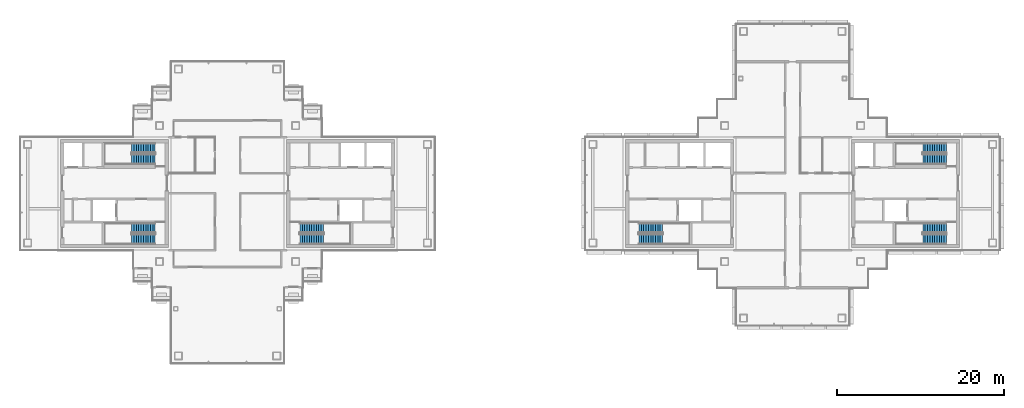
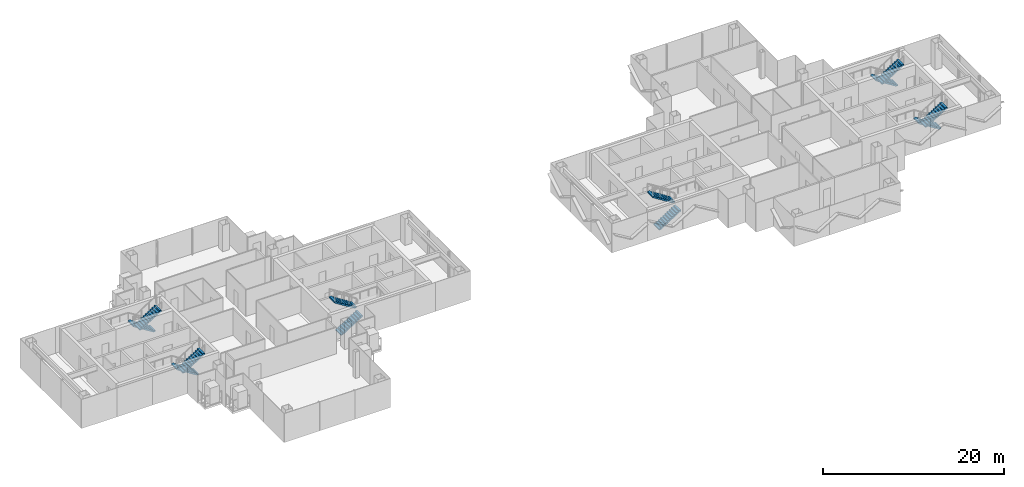
# One storey, part 13 of 17: 12 stair flights, 6 elements without a shape of their own.
"""IFC4 building model written with IfcOpenShell, lengths in metres."""

import ifcopenshell
import ifcopenshell.guid

model = None  # the IFC model being written
_history = None  # IfcOwnerHistory: only IFC2X3 demands one
_inside = {}  # id of a spatial element -> (the spatial element, [elements in it])
_under = {}  # id of a project, library or spatial element -> (it, [spatial elements below it])
_declared = {}  # id of a project -> (the project, [libraries it declares])
_typed = {}  # id of a type object -> (the type object, [elements of that type])
_made_of = {}  # id of a material, layer set ... -> (it, [elements and type objects made of it])


def new_model(schema):
    """Start an empty IFC model of exactly this schema.

    Asked for "IFC4X3", IfcOpenShell would pick the latest addendum, in which some entities
    have other attributes; the version numbers below select the first issue.
    IFC2X3 requires an IfcOwnerHistory on every rooted entity: one is made here for all.
    """
    global model, _history
    if schema == "IFC4X3":
        model = ifcopenshell.file(schema_version=(4, 3, 0, 0))
    else:
        model = ifcopenshell.file(schema=schema)
    _inside.clear()
    _under.clear()
    _declared.clear()
    _typed.clear()
    _made_of.clear()
    _history = None
    if model.schema == "IFC2X3":
        org = make("IfcOrganization", Name="unknown")
        user = make(
            "IfcPersonAndOrganization",
            ThePerson=make("IfcPerson", FamilyName="unknown"),
            TheOrganization=org,
        )
        app = make(
            "IfcApplication",
            ApplicationDeveloper=org,
            Version="unknown",
            ApplicationFullName="unknown",
            ApplicationIdentifier="unknown",
        )
        _history = make(
            "IfcOwnerHistory",
            OwningUser=user,
            OwningApplication=app,
            ChangeAction="ADDED",
            CreationDate=0,
        )
    return model


def make(cls, **values):
    """One entity of the class cls with the attributes given. An attribute that is None is left unset."""
    return model.create_entity(
        cls, **{name: value for name, value in values.items() if value is not None}
    )


def rooted(cls, **values):
    """An entity with a GlobalId (a new one), such as an element, a storey or a relation."""
    return make(cls, GlobalId=ifcopenshell.guid.new(), OwnerHistory=_history, **values)


def si_unit(unit_type, name, prefix=None):
    """IfcSIUnit, for example si_unit("LENGTHUNIT", "METRE", prefix="MILLI")."""
    return make("IfcSIUnit", UnitType=unit_type, Prefix=prefix, Name=name)


def assignment(units):
    """IfcUnitAssignment: the units of a project."""
    return None if units is None else make("IfcUnitAssignment", Units=units)


def point(xyz):
    """IfcCartesianPoint."""
    return None if xyz is None else make("IfcCartesianPoint", Coordinates=xyz)


def direction(xyz):
    """IfcDirection."""
    return None if xyz is None else make("IfcDirection", DirectionRatios=xyz)


def frame(location, z_axis=None, x_axis=None):
    """IfcAxis2Placement3D, a coordinate frame: its origin and axes. An axis left out is left unset."""
    return make(
        "IfcAxis2Placement3D",
        Location=point(location),
        Axis=direction(z_axis),
        RefDirection=direction(x_axis),
    )


def origin():
    """The frame at (0, 0, 0) with its axes left unset."""
    return frame((0.0, 0.0, 0.0))


def place(relative_to, where):
    """IfcLocalPlacement: puts the frame where relative to a parent placement (None: the world)."""
    return make(
        "IfcLocalPlacement", PlacementRelTo=relative_to, RelativePlacement=where
    )


def context(
    kind, dimensions, precision=None, world=None, true_north=None, identifier=None
):
    """IfcGeometricRepresentationContext, for example the 3D "Model" context."""
    return make(
        "IfcGeometricRepresentationContext",
        ContextIdentifier=identifier,
        ContextType=kind,
        CoordinateSpaceDimension=dimensions,
        Precision=precision,
        WorldCoordinateSystem=world,
        TrueNorth=true_north,
    )


def subcontext(parent, identifier, kind, view, scale=None):
    """IfcGeometricRepresentationSubContext, for example "Body" below "Model"."""
    return make(
        "IfcGeometricRepresentationSubContext",
        ContextIdentifier=identifier,
        ContextType=kind,
        ParentContext=parent,
        TargetScale=scale,
        TargetView=view,
    )


def project(units=None, contexts=None):
    """IfcProject with its units and contexts."""
    return rooted(
        "IfcProject",
        Name="project",
        RepresentationContexts=contexts,
        UnitsInContext=assignment(units),
    )


def spatial(cls, under=None, at=None, **own):
    """A site, building, storey or space (cls), placed at a placement, below another one or the project."""
    s = rooted(cls, ObjectPlacement=at, **own)
    if under is not None:
        _under.setdefault(under.id(), (under, []))[1].append(s)
    return s


def polyline(points):
    """IfcPolyline through the points."""
    return make("IfcPolyline", Points=[point(p) for p in points])


def outline(outer, holes=None, kind="AREA"):
    """IfcArbitraryClosedProfileDef: a profile drawn as a closed curve; with holes, ...WithVoids."""
    if holes is None:
        return make("IfcArbitraryClosedProfileDef", ProfileType=kind, OuterCurve=outer)
    return make(
        "IfcArbitraryProfileDefWithVoids",
        ProfileType=kind,
        OuterCurve=outer,
        InnerCurves=holes,
    )


def extrude(swept, where, along, depth):
    """IfcExtrudedAreaSolid: the profile swept, set in the frame where, extruded along a direction by depth."""
    return make(
        "IfcExtrudedAreaSolid",
        SweptArea=swept,
        Position=where,
        ExtrudedDirection=direction(along),
        Depth=depth,
    )


def shape(context_of_items, identifier, shape_type, items):
    """IfcShapeRepresentation: the items that make up one representation, for example the "Body"."""
    return make(
        "IfcShapeRepresentation",
        ContextOfItems=context_of_items,
        RepresentationIdentifier=identifier,
        RepresentationType=shape_type,
        Items=items,
    )


def material(Name=None, Category=None):
    """IfcMaterial."""
    return make("IfcMaterial", Name=Name, Category=Category)


def made_of(thing, what):
    """Note that an element or type object is made of a material, layer set ...; save() writes the relation."""
    if what is not None:
        _made_of.setdefault(what.id(), (what, []))[1].append(thing)
    return thing


def type_object(cls, material=None, **own):
    """A type object (cls), such as IfcWallType, which elements share."""
    return made_of(rooted(cls, **own), material)


def element(
    cls,
    number,
    at=None,
    inside=None,
    cuts=None,
    type_object=None,
    material=None,
    context=None,
    identifier="Body",
    shape_type=None,
    held_by="IfcProductDefinitionShape",
    body=None,
    shapes=None,
    **own,
):
    """One element of the class cls, such as IfcWall. Its Tag is "e" and its number.

    at: its placement. inside: the storey or other place that contains it. cuts: it is an
    opening in that element (IfcRelVoidsElement). A single representation is given by context,
    identifier, shape_type and body (its items); several are given by shapes. held_by: the class
    of the entity that holds the representations. save() writes the other relations.
    """
    e = rooted(cls, Tag="e%d" % number, ObjectPlacement=at, **own)
    if body is not None:
        shapes = [shape(context, identifier, shape_type, body)]
    if shapes is not None:
        e.Representation = make(held_by, Representations=shapes)
    if inside is not None:
        _inside.setdefault(inside.id(), (inside, []))[1].append(e)
    if cuts is not None:
        rooted(
            "IfcRelVoidsElement", RelatingBuildingElement=cuts, RelatedOpeningElement=e
        )
    if type_object is not None:
        _typed.setdefault(type_object.id(), (type_object, []))[1].append(e)
    return made_of(e, material)


def aggregate(whole, parts):
    """IfcRelAggregates: a whole, such as a stair, and the parts it consists of."""
    return rooted("IfcRelAggregates", RelatingObject=whole, RelatedObjects=parts)


def save(model, path):
    """Write the relations noted so far, then the file.

    IfcRelAggregates (storeys below a building ...), IfcRelContainedInSpatialStructure (elements
    in a storey), IfcRelDefinesByType, IfcRelAssociatesMaterial and IfcRelDeclares: one each for
    every whole, place, type object, material and project.
    """
    for whole, parts in _under.values():
        aggregate(whole, parts)
    for where, things in _inside.values():
        rooted(
            "IfcRelContainedInSpatialStructure",
            RelatedElements=things,
            RelatingStructure=where,
        )
    for kind, things in _typed.values():
        rooted("IfcRelDefinesByType", RelatedObjects=things, RelatingType=kind)
    for what, things in _made_of.values():
        rooted("IfcRelAssociatesMaterial", RelatedObjects=things, RelatingMaterial=what)
    for by, libraries in _declared.values():
        rooted("IfcRelDeclares", RelatingContext=by, RelatedDefinitions=libraries)
    model.write(path)


model = new_model("IFC4")

# Units and contexts
model_context = context("Model", 3, precision=1e-05, world=origin(), true_north=direction((0.0, 1.0)))
body_context = subcontext(model_context, "Body", "Model", "MODEL_VIEW")
ifc_project = project(units=[si_unit("LENGTHUNIT", "METRE"), si_unit("AREAUNIT", "SQUARE_METRE"), si_unit("VOLUMEUNIT", "CUBIC_METRE"), si_unit("PLANEANGLEUNIT", "RADIAN"), si_unit("MASSUNIT", "GRAM", prefix="KILO")], contexts=[model_context])

# Site, building, storey
site_placement = place(None, origin())
site = spatial("IfcSite", under=ifc_project, at=site_placement, CompositionType="ELEMENT")
building_placement = place(site_placement, origin())
building = spatial("IfcBuilding", under=site, at=building_placement, Name="Shamsa Quay Exchange Towers", CompositionType="ELEMENT")
storey_placement = place(building_placement, frame((0.0, 0.0, 249.89990234375)))
storey = spatial("IfcBuildingStorey", under=building, at=storey_placement, Name="L60", CompositionType="ELEMENT", Elevation=249.89990234375)

# Stair, stair flights
ifc_material = material(Name="Concrete C40/50", Category="concrete")
stair_type = type_object("IfcStairType", Name="EXIT STAIR 22 RISERS 177 MM", PredefinedType="HALF_TURN_STAIR", material=ifc_material)
stair_1_placement = place(storey_placement, origin())
stair_1 = element("IfcStair", 1, at=stair_1_placement, inside=storey, type_object=stair_type, Name="L60 Exit stair ST1", PredefinedType="HALF_TURN_STAIR")
stair_flight_type = type_object("IfcStairFlightType", Name="EXIT STAIR FLIGHT 11 RISERS 177 MM", PredefinedType="STRAIGHT", material=ifc_material)
stair_flight_1_placement = place(storey_placement, frame((-25.10009765625, -5.449951171875, 0.0)))
stair_flight_1 = element("IfcStairFlight", 2, at=stair_flight_1_placement, type_object=stair_flight_type, Name="ST1 flight 1", NumberOfRisers=11, NumberOfTreads=10, PredefinedType="STRAIGHT", RiserHeight=0.177272727, TreadLength=0.28, context=body_context, shape_type="SweptSolid", body=[
    extrude(outline(polyline([(0.0, 0.0), (0.0, 0.17724609375), (0.280029296875, 0.17724609375), (0.280029296875, 0.3544921875), (0.56005859375, 0.3544921875), (0.56005859375, 0.53173828125), (0.840087890625, 0.53173828125), (0.840087890625, 0.708984375), (1.1201171875, 0.708984375), (1.1201171875, 0.886474609375), (1.39990234375, 0.886474609375), (1.39990234375, 1.063720703125), (1.679931640625, 1.063720703125), (1.679931640625, 1.240966796875), (1.9599609375, 1.240966796875), (1.9599609375, 1.418212890625), (2.239990234375, 1.418212890625), (2.239990234375, 1.595458984375), (2.52001953125, 1.595458984375), (2.52001953125, 1.772705078125), (2.800048828125, 1.772705078125), (2.800048828125, 1.949951171875), (2.800048828125, 1.607177734375), (0.261474609375, 0.0), (0.0, 0.0)])), frame((0.0, 0.60009765625, 0.0), z_axis=(0.0, -1.0, 0.0), x_axis=(1.0, 0.0, 0.0)), (0.0, 0.0, 1.0), 1.199951171875),
])
stair_flight_2_placement = place(storey_placement, frame((-22.300048828125, -4.10009765625, 1.9501953125), z_axis=(0.0, 0.0, 1.0), x_axis=(-1.0, 0.0, 0.0)))
stair_flight_2 = element("IfcStairFlight", 3, at=stair_flight_2_placement, type_object=stair_flight_type, Name="ST1 flight 2", NumberOfRisers=11, NumberOfTreads=10, PredefinedType="STRAIGHT", RiserHeight=0.177272727, TreadLength=0.28, context=body_context, shape_type="SweptSolid", body=[
    extrude(outline(polyline([(0.0, 0.0), (0.0, 0.17724609375), (0.280029296875, 0.17724609375), (0.280029296875, 0.3544921875), (0.56005859375, 0.3544921875), (0.56005859375, 0.53173828125), (0.840087890625, 0.53173828125), (0.840087890625, 0.708984375), (1.1201171875, 0.708984375), (1.1201171875, 0.886474609375), (1.39990234375, 0.886474609375), (1.39990234375, 1.063720703125), (1.679931640625, 1.063720703125), (1.679931640625, 1.240966796875), (1.9599609375, 1.240966796875), (1.9599609375, 1.418212890625), (2.239990234375, 1.418212890625), (2.239990234375, 1.595458984375), (2.52001953125, 1.595458984375), (2.52001953125, 1.772705078125), (2.800048828125, 1.772705078125), (2.800048828125, 1.949951171875), (2.800048828125, 1.607177734375), (0.261474609375, 0.0), (0.0, 0.0)])), frame((0.0, 0.60009765625, 0.0), z_axis=(0.0, -1.0, 0.0), x_axis=(1.0, 0.0, 0.0)), (0.0, 0.0, 1.0), 1.199951171875),
])
aggregate(stair_1, [stair_flight_1, stair_flight_2])

stair_2_placement = place(storey_placement, origin())
stair_2 = element("IfcStair", 4, at=stair_2_placement, inside=storey, type_object=stair_type, Name="L60 Exit stair ST2", PredefinedType="HALF_TURN_STAIR")
stair_flight_3_placement = place(storey_placement, frame((-42.39990234375, -4.10009765625, 0.0), z_axis=(0.0, 0.0, 1.0), x_axis=(-1.0, 0.0, 0.0)))
stair_flight_3 = element("IfcStairFlight", 5, at=stair_flight_3_placement, type_object=stair_flight_type, Name="ST2 flight 1", NumberOfRisers=11, NumberOfTreads=10, PredefinedType="STRAIGHT", RiserHeight=0.177272727, TreadLength=0.28, context=body_context, shape_type="SweptSolid", body=[
    extrude(outline(polyline([(0.0, 0.0), (0.0, 0.17724609375), (0.280029296875, 0.17724609375), (0.280029296875, 0.3544921875), (0.56005859375, 0.3544921875), (0.56005859375, 0.53173828125), (0.840087890625, 0.53173828125), (0.840087890625, 0.708984375), (1.1201171875, 0.708984375), (1.1201171875, 0.886474609375), (1.39990234375, 0.886474609375), (1.39990234375, 1.063720703125), (1.679931640625, 1.063720703125), (1.679931640625, 1.240966796875), (1.9599609375, 1.240966796875), (1.9599609375, 1.418212890625), (2.239990234375, 1.418212890625), (2.239990234375, 1.595458984375), (2.52001953125, 1.595458984375), (2.52001953125, 1.772705078125), (2.800048828125, 1.772705078125), (2.800048828125, 1.949951171875), (2.800048828125, 1.607177734375), (0.261474609375, 0.0), (0.0, 0.0)])), frame((0.0, 0.60009765625, 0.0), z_axis=(0.0, -1.0, 0.0), x_axis=(1.0, 0.0, 0.0)), (0.0, 0.0, 1.0), 1.199951171875),
])
stair_flight_4_placement = place(storey_placement, frame((-45.199951171875, -5.449951171875, 1.9501953125)))
stair_flight_4 = element("IfcStairFlight", 6, at=stair_flight_4_placement, type_object=stair_flight_type, Name="ST2 flight 2", NumberOfRisers=11, NumberOfTreads=10, PredefinedType="STRAIGHT", RiserHeight=0.177272727, TreadLength=0.28, context=body_context, shape_type="SweptSolid", body=[
    extrude(outline(polyline([(0.0, 0.0), (0.0, 0.17724609375), (0.280029296875, 0.17724609375), (0.280029296875, 0.3544921875), (0.56005859375, 0.3544921875), (0.56005859375, 0.53173828125), (0.840087890625, 0.53173828125), (0.840087890625, 0.708984375), (1.1201171875, 0.708984375), (1.1201171875, 0.886474609375), (1.39990234375, 0.886474609375), (1.39990234375, 1.063720703125), (1.679931640625, 1.063720703125), (1.679931640625, 1.240966796875), (1.9599609375, 1.240966796875), (1.9599609375, 1.418212890625), (2.239990234375, 1.418212890625), (2.239990234375, 1.595458984375), (2.52001953125, 1.595458984375), (2.52001953125, 1.772705078125), (2.800048828125, 1.772705078125), (2.800048828125, 1.949951171875), (2.800048828125, 1.607177734375), (0.261474609375, 0.0), (0.0, 0.0)])), frame((0.0, 0.60009765625, 0.0), z_axis=(0.0, -1.0, 0.0), x_axis=(1.0, 0.0, 0.0)), (0.0, 0.0, 1.0), 1.199951171875),
])
aggregate(stair_2, [stair_flight_3, stair_flight_4])

stair_3_placement = place(storey_placement, origin())
stair_3 = element("IfcStair", 7, at=stair_3_placement, inside=storey, type_object=stair_type, Name="L60 Exit stair ST3", PredefinedType="HALF_TURN_STAIR")
stair_flight_5_placement = place(storey_placement, frame((-42.39990234375, 5.449951171875, 0.0), z_axis=(0.0, 0.0, 1.0), x_axis=(-1.0, 0.0, 0.0)))
stair_flight_5 = element("IfcStairFlight", 8, at=stair_flight_5_placement, type_object=stair_flight_type, Name="ST3 flight 1", NumberOfRisers=11, NumberOfTreads=10, PredefinedType="STRAIGHT", RiserHeight=0.177272727, TreadLength=0.28, context=body_context, shape_type="SweptSolid", body=[
    extrude(outline(polyline([(0.0, 0.0), (0.0, 0.17724609375), (0.280029296875, 0.17724609375), (0.280029296875, 0.3544921875), (0.56005859375, 0.3544921875), (0.56005859375, 0.53173828125), (0.840087890625, 0.53173828125), (0.840087890625, 0.708984375), (1.1201171875, 0.708984375), (1.1201171875, 0.886474609375), (1.39990234375, 0.886474609375), (1.39990234375, 1.063720703125), (1.679931640625, 1.063720703125), (1.679931640625, 1.240966796875), (1.9599609375, 1.240966796875), (1.9599609375, 1.418212890625), (2.239990234375, 1.418212890625), (2.239990234375, 1.595458984375), (2.52001953125, 1.595458984375), (2.52001953125, 1.772705078125), (2.800048828125, 1.772705078125), (2.800048828125, 1.949951171875), (2.800048828125, 1.607177734375), (0.261474609375, 0.0), (0.0, 0.0)])), frame((0.0, 0.60009765625, 0.0), z_axis=(0.0, -1.0, 0.0), x_axis=(1.0, 0.0, 0.0)), (0.0, 0.0, 1.0), 1.199951171875),
])
stair_flight_6_placement = place(storey_placement, frame((-45.199951171875, 4.10009765625, 1.9501953125)))
stair_flight_6 = element("IfcStairFlight", 9, at=stair_flight_6_placement, type_object=stair_flight_type, Name="ST3 flight 2", NumberOfRisers=11, NumberOfTreads=10, PredefinedType="STRAIGHT", RiserHeight=0.177272727, TreadLength=0.28, context=body_context, shape_type="SweptSolid", body=[
    extrude(outline(polyline([(0.0, 0.0), (0.0, 0.17724609375), (0.280029296875, 0.17724609375), (0.280029296875, 0.3544921875), (0.56005859375, 0.3544921875), (0.56005859375, 0.53173828125), (0.840087890625, 0.53173828125), (0.840087890625, 0.708984375), (1.1201171875, 0.708984375), (1.1201171875, 0.886474609375), (1.39990234375, 0.886474609375), (1.39990234375, 1.063720703125), (1.679931640625, 1.063720703125), (1.679931640625, 1.240966796875), (1.9599609375, 1.240966796875), (1.9599609375, 1.418212890625), (2.239990234375, 1.418212890625), (2.239990234375, 1.595458984375), (2.52001953125, 1.595458984375), (2.52001953125, 1.772705078125), (2.800048828125, 1.772705078125), (2.800048828125, 1.949951171875), (2.800048828125, 1.607177734375), (0.261474609375, 0.0), (0.0, 0.0)])), frame((0.0, 0.60009765625, 0.0), z_axis=(0.0, -1.0, 0.0), x_axis=(1.0, 0.0, 0.0)), (0.0, 0.0, 1.0), 1.199951171875),
])
aggregate(stair_3, [stair_flight_5, stair_flight_6])

stair_4_placement = place(storey_placement, origin())
stair_4 = element("IfcStair", 10, at=stair_4_placement, inside=storey, type_object=stair_type, Name="L60 Exit stair ST4", PredefinedType="HALF_TURN_STAIR")
stair_flight_7_placement = place(storey_placement, frame((15.39990234375, -5.449951171875, 0.0)))
stair_flight_7 = element("IfcStairFlight", 11, at=stair_flight_7_placement, type_object=stair_flight_type, Name="ST4 flight 1", NumberOfRisers=11, NumberOfTreads=10, PredefinedType="STRAIGHT", RiserHeight=0.177272727, TreadLength=0.28, context=body_context, shape_type="SweptSolid", body=[
    extrude(outline(polyline([(0.0, 0.0), (0.0, 0.17724609375), (0.280029296875, 0.17724609375), (0.280029296875, 0.3544921875), (0.56005859375, 0.3544921875), (0.56005859375, 0.53173828125), (0.840087890625, 0.53173828125), (0.840087890625, 0.708984375), (1.1201171875, 0.708984375), (1.1201171875, 0.886474609375), (1.39990234375, 0.886474609375), (1.39990234375, 1.063720703125), (1.679931640625, 1.063720703125), (1.679931640625, 1.240966796875), (1.9599609375, 1.240966796875), (1.9599609375, 1.418212890625), (2.239990234375, 1.418212890625), (2.239990234375, 1.595458984375), (2.52001953125, 1.595458984375), (2.52001953125, 1.772705078125), (2.800048828125, 1.772705078125), (2.800048828125, 1.949951171875), (2.800048828125, 1.607177734375), (0.261474609375, 0.0), (0.0, 0.0)])), frame((0.0, 0.60009765625, 0.0), z_axis=(0.0, -1.0, 0.0), x_axis=(1.0, 0.0, 0.0)), (0.0, 0.0, 1.0), 1.199951171875),
])
stair_flight_8_placement = place(storey_placement, frame((18.199951171875, -4.10009765625, 1.9501953125), z_axis=(0.0, 0.0, 1.0), x_axis=(-1.0, 0.0, 0.0)))
stair_flight_8 = element("IfcStairFlight", 12, at=stair_flight_8_placement, type_object=stair_flight_type, Name="ST4 flight 2", NumberOfRisers=11, NumberOfTreads=10, PredefinedType="STRAIGHT", RiserHeight=0.177272727, TreadLength=0.28, context=body_context, shape_type="SweptSolid", body=[
    extrude(outline(polyline([(0.0, 0.0), (0.0, 0.17724609375), (0.280029296875, 0.17724609375), (0.280029296875, 0.3544921875), (0.56005859375, 0.3544921875), (0.56005859375, 0.53173828125), (0.840087890625, 0.53173828125), (0.840087890625, 0.708984375), (1.1201171875, 0.708984375), (1.1201171875, 0.886474609375), (1.39990234375, 0.886474609375), (1.39990234375, 1.063720703125), (1.679931640625, 1.063720703125), (1.679931640625, 1.240966796875), (1.9599609375, 1.240966796875), (1.9599609375, 1.418212890625), (2.239990234375, 1.418212890625), (2.239990234375, 1.595458984375), (2.52001953125, 1.595458984375), (2.52001953125, 1.772705078125), (2.800048828125, 1.772705078125), (2.800048828125, 1.949951171875), (2.800048828125, 1.607177734375), (0.261474609375, 0.0), (0.0, 0.0)])), frame((0.0, 0.60009765625, 0.0), z_axis=(0.0, -1.0, 0.0), x_axis=(1.0, 0.0, 0.0)), (0.0, 0.0, 1.0), 1.199951171875),
])
aggregate(stair_4, [stair_flight_7, stair_flight_8])

stair_5_placement = place(storey_placement, origin())
stair_5 = element("IfcStair", 13, at=stair_5_placement, inside=storey, type_object=stair_type, Name="L60 Exit stair ST5", PredefinedType="HALF_TURN_STAIR")
stair_flight_9_placement = place(storey_placement, frame((52.10009765625, -4.10009765625, 0.0), z_axis=(0.0, 0.0, 1.0), x_axis=(-1.0, 0.0, 0.0)))
stair_flight_9 = element("IfcStairFlight", 14, at=stair_flight_9_placement, type_object=stair_flight_type, Name="ST5 flight 1", NumberOfRisers=11, NumberOfTreads=10, PredefinedType="STRAIGHT", RiserHeight=0.177272727, TreadLength=0.28, context=body_context, shape_type="SweptSolid", body=[
    extrude(outline(polyline([(0.0, 0.0), (0.0, 0.17724609375), (0.280029296875, 0.17724609375), (0.280029296875, 0.3544921875), (0.56005859375, 0.3544921875), (0.56005859375, 0.53173828125), (0.840087890625, 0.53173828125), (0.840087890625, 0.708984375), (1.1201171875, 0.708984375), (1.1201171875, 0.886474609375), (1.39990234375, 0.886474609375), (1.39990234375, 1.063720703125), (1.679931640625, 1.063720703125), (1.679931640625, 1.240966796875), (1.9599609375, 1.240966796875), (1.9599609375, 1.418212890625), (2.239990234375, 1.418212890625), (2.239990234375, 1.595458984375), (2.52001953125, 1.595458984375), (2.52001953125, 1.772705078125), (2.800048828125, 1.772705078125), (2.800048828125, 1.949951171875), (2.800048828125, 1.607177734375), (0.261474609375, 0.0), (0.0, 0.0)])), frame((0.0, 0.60009765625, 0.0), z_axis=(0.0, -1.0, 0.0), x_axis=(1.0, 0.0, 0.0)), (0.0, 0.0, 1.0), 1.199951171875),
])
stair_flight_10_placement = place(storey_placement, frame((49.300048828125, -5.449951171875, 1.9501953125)))
stair_flight_10 = element("IfcStairFlight", 15, at=stair_flight_10_placement, type_object=stair_flight_type, Name="ST5 flight 2", NumberOfRisers=11, NumberOfTreads=10, PredefinedType="STRAIGHT", RiserHeight=0.177272727, TreadLength=0.28, context=body_context, shape_type="SweptSolid", body=[
    extrude(outline(polyline([(0.0, 0.0), (0.0, 0.17724609375), (0.280029296875, 0.17724609375), (0.280029296875, 0.3544921875), (0.56005859375, 0.3544921875), (0.56005859375, 0.53173828125), (0.840087890625, 0.53173828125), (0.840087890625, 0.708984375), (1.1201171875, 0.708984375), (1.1201171875, 0.886474609375), (1.39990234375, 0.886474609375), (1.39990234375, 1.063720703125), (1.679931640625, 1.063720703125), (1.679931640625, 1.240966796875), (1.9599609375, 1.240966796875), (1.9599609375, 1.418212890625), (2.239990234375, 1.418212890625), (2.239990234375, 1.595458984375), (2.52001953125, 1.595458984375), (2.52001953125, 1.772705078125), (2.800048828125, 1.772705078125), (2.800048828125, 1.949951171875), (2.800048828125, 1.607177734375), (0.261474609375, 0.0), (0.0, 0.0)])), frame((0.0, 0.60009765625, 0.0), z_axis=(0.0, -1.0, 0.0), x_axis=(1.0, 0.0, 0.0)), (0.0, 0.0, 1.0), 1.199951171875),
])
aggregate(stair_5, [stair_flight_9, stair_flight_10])

stair_6_placement = place(storey_placement, origin())
stair_6 = element("IfcStair", 16, at=stair_6_placement, inside=storey, type_object=stair_type, Name="L60 Exit stair ST6", PredefinedType="HALF_TURN_STAIR")
stair_flight_11_placement = place(storey_placement, frame((52.10009765625, 5.449951171875, 0.0), z_axis=(0.0, 0.0, 1.0), x_axis=(-1.0, 0.0, 0.0)))
stair_flight_11 = element("IfcStairFlight", 17, at=stair_flight_11_placement, type_object=stair_flight_type, Name="ST6 flight 1", NumberOfRisers=11, NumberOfTreads=10, PredefinedType="STRAIGHT", RiserHeight=0.177272727, TreadLength=0.28, context=body_context, shape_type="SweptSolid", body=[
    extrude(outline(polyline([(0.0, 0.0), (0.0, 0.17724609375), (0.280029296875, 0.17724609375), (0.280029296875, 0.3544921875), (0.56005859375, 0.3544921875), (0.56005859375, 0.53173828125), (0.840087890625, 0.53173828125), (0.840087890625, 0.708984375), (1.1201171875, 0.708984375), (1.1201171875, 0.886474609375), (1.39990234375, 0.886474609375), (1.39990234375, 1.063720703125), (1.679931640625, 1.063720703125), (1.679931640625, 1.240966796875), (1.9599609375, 1.240966796875), (1.9599609375, 1.418212890625), (2.239990234375, 1.418212890625), (2.239990234375, 1.595458984375), (2.52001953125, 1.595458984375), (2.52001953125, 1.772705078125), (2.800048828125, 1.772705078125), (2.800048828125, 1.949951171875), (2.800048828125, 1.607177734375), (0.261474609375, 0.0), (0.0, 0.0)])), frame((0.0, 0.60009765625, 0.0), z_axis=(0.0, -1.0, 0.0), x_axis=(1.0, 0.0, 0.0)), (0.0, 0.0, 1.0), 1.199951171875),
])
stair_flight_12_placement = place(storey_placement, frame((49.300048828125, 4.10009765625, 1.9501953125)))
stair_flight_12 = element("IfcStairFlight", 18, at=stair_flight_12_placement, type_object=stair_flight_type, Name="ST6 flight 2", NumberOfRisers=11, NumberOfTreads=10, PredefinedType="STRAIGHT", RiserHeight=0.177272727, TreadLength=0.28, context=body_context, shape_type="SweptSolid", body=[
    extrude(outline(polyline([(0.0, 0.0), (0.0, 0.17724609375), (0.280029296875, 0.17724609375), (0.280029296875, 0.3544921875), (0.56005859375, 0.3544921875), (0.56005859375, 0.53173828125), (0.840087890625, 0.53173828125), (0.840087890625, 0.708984375), (1.1201171875, 0.708984375), (1.1201171875, 0.886474609375), (1.39990234375, 0.886474609375), (1.39990234375, 1.063720703125), (1.679931640625, 1.063720703125), (1.679931640625, 1.240966796875), (1.9599609375, 1.240966796875), (1.9599609375, 1.418212890625), (2.239990234375, 1.418212890625), (2.239990234375, 1.595458984375), (2.52001953125, 1.595458984375), (2.52001953125, 1.772705078125), (2.800048828125, 1.772705078125), (2.800048828125, 1.949951171875), (2.800048828125, 1.607177734375), (0.261474609375, 0.0), (0.0, 0.0)])), frame((0.0, 0.60009765625, 0.0), z_axis=(0.0, -1.0, 0.0), x_axis=(1.0, 0.0, 0.0)), (0.0, 0.0, 1.0), 1.199951171875),
])
aggregate(stair_6, [stair_flight_11, stair_flight_12])

save(model, "model.ifc")
